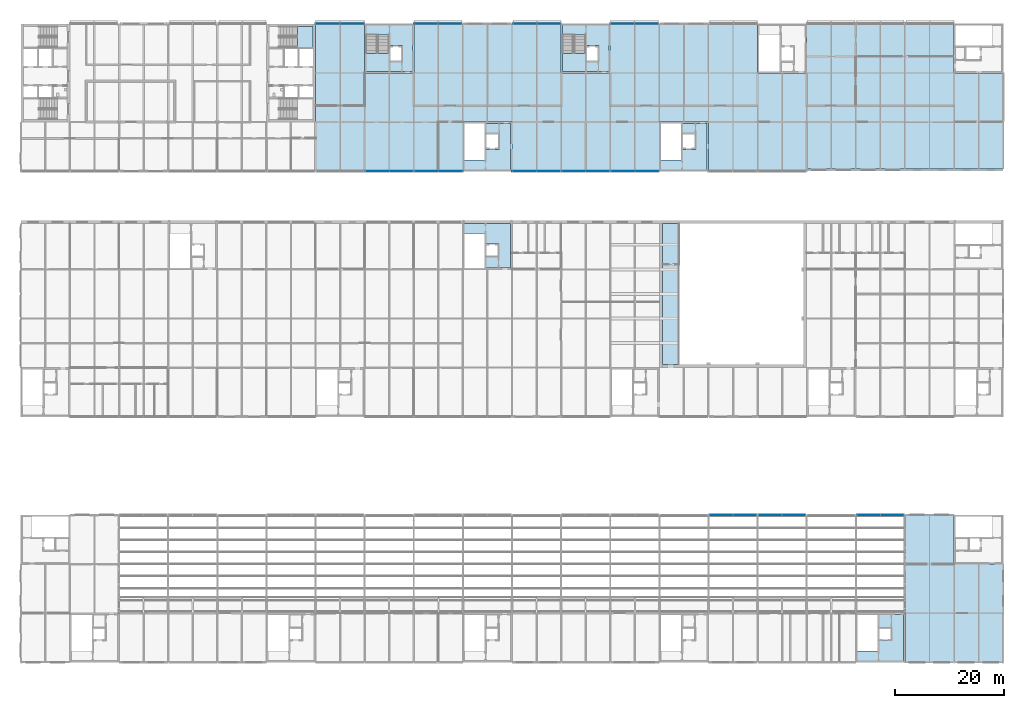
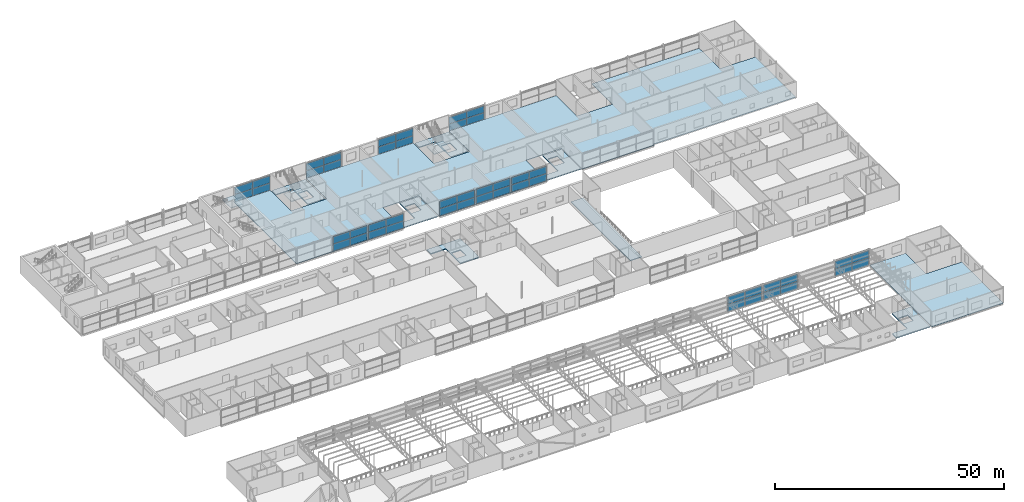
# One storey, part 101 of 138: 48 plates, 12 slabs, 15 elements without a shape of their own.
"""IFC4 building model written with IfcOpenShell, lengths in metres."""

from ifc_helpers import new_model, si_unit, direction, frame, origin, origin_2d, place, context, subcontext, project, spatial, polyline, rectangle, outline, extrude, material, layer, layer_set, type_object, element, aggregate, save


model = new_model("IFC4")

# Units and contexts
model_context = context("Model", 3, precision=1e-05, world=origin(), true_north=direction((0.0, 1.0)))
body_context = subcontext(model_context, "Body", "Model", "MODEL_VIEW")
ifc_project = project(units=[si_unit("LENGTHUNIT", "METRE"), si_unit("AREAUNIT", "SQUARE_METRE"), si_unit("VOLUMEUNIT", "CUBIC_METRE"), si_unit("PLANEANGLEUNIT", "RADIAN"), si_unit("MASSUNIT", "GRAM", prefix="KILO")], contexts=[model_context])

# Site, building, storey
site_placement = place(None, origin())
site = spatial("IfcSite", under=ifc_project, at=site_placement, CompositionType="ELEMENT")
building_placement = place(site_placement, origin())
building = spatial("IfcBuilding", under=site, at=building_placement, Name="Corbel Yard City Hall", CompositionType="ELEMENT")
storey_placement = place(building_placement, frame((0.0, 0.0, 10.5)))
storey = spatial("IfcBuildingStorey", under=building, at=storey_placement, Name="L02", CompositionType="ELEMENT", Elevation=10.5)

# Slabs
ifc_material_1 = material(Name="Concrete N40 (40 MPa)", Category="concrete")
ifc_layer_1 = layer(ifc_material_1, 0.25)
ifc_layer_set_1 = layer_set([ifc_layer_1], Name="Concrete N40 (40 MPa)")
slab_type_1 = type_object("IfcSlabType", Name="CF1", PredefinedType="FLOOR", material=ifc_layer_set_1)
slab_1_placement = place(storey_placement, frame((0.0, 0.0, -0.25)))
element("IfcSlab", 1, at=slab_1_placement, inside=storey, type_object=slab_type_1, Name="Core floor slab", PredefinedType="FLOOR", context=body_context, shape_type="SweptSolid", body=[
    extrude(outline(polyline([(161.75, 8.75), (157.050048828125, 8.75), (157.050048828125, 2.051025390625), (153.25, 2.051025390625), (153.25, 0.25), (161.75, 0.25), (161.75, 8.75)]), holes=[polyline([(159.64990234375, 4.0), (159.64990234375, 6.39990234375), (157.300048828125, 6.39990234375), (157.300048828125, 4.0), (159.64990234375, 4.0)])]), origin(), (0.0, 0.0, 1.0), 0.25),
])
slab_2_placement = place(storey_placement, frame((0.0, 0.0, -0.25)))
element("IfcSlab", 2, at=slab_2_placement, inside=storey, type_object=slab_type_1, Name="Core floor slab", PredefinedType="FLOOR", context=body_context, shape_type="SweptSolid", body=[
    extrude(outline(polyline([(81.25, 80.39990234375), (81.25, 78.59912109375), (85.050048828125, 78.59912109375), (85.050048828125, 72.25), (89.75, 72.25), (89.75, 80.39990234375), (81.25, 80.39990234375)]), holes=[polyline([(87.64990234375, 74.25), (87.64990234375, 76.64990234375), (85.300048828125, 76.64990234375), (85.300048828125, 74.25), (87.64990234375, 74.25)])]), origin(), (0.0, 0.0, 1.0), 0.25),
])
slab_3_placement = place(storey_placement, frame((0.0, 0.0, -0.25)))
element("IfcSlab", 3, at=slab_3_placement, inside=storey, type_object=slab_type_1, Name="Core floor slab", PredefinedType="FLOOR", context=body_context, shape_type="SweptSolid", body=[
    extrude(outline(polyline([(63.25, 116.75), (63.25, 114.948974609375), (67.449951171875, 114.948974609375), (67.449951171875, 108.25), (71.75, 108.25), (71.75, 116.75), (63.25, 116.75)]), holes=[polyline([(69.949951171875, 110.0), (69.949951171875, 113.0), (67.699951171875, 113.0), (67.699951171875, 110.0), (69.949951171875, 110.0)])]), origin(), (0.0, 0.0, 1.0), 0.25),
])
slab_4_placement = place(storey_placement, frame((0.0, 0.0, -0.25)))
element("IfcSlab", 4, at=slab_4_placement, inside=storey, type_object=slab_type_1, Name="Core floor slab", PredefinedType="FLOOR", context=body_context, shape_type="SweptSolid", body=[
    extrude(outline(polyline([(99.25, 116.75), (99.25, 114.948974609375), (103.449951171875, 114.948974609375), (103.449951171875, 108.25), (107.75, 108.25), (107.75, 116.75), (99.25, 116.75)]), holes=[polyline([(105.949951171875, 110.0), (105.949951171875, 113.0), (103.699951171875, 113.0), (103.699951171875, 110.0), (105.949951171875, 110.0)])]), origin(), (0.0, 0.0, 1.0), 0.25),
])
slab_5_placement = place(storey_placement, frame((0.0, 0.0, -0.25)))
element("IfcSlab", 5, at=slab_5_placement, inside=storey, type_object=slab_type_1, Name="Core floor slab", PredefinedType="FLOOR", context=body_context, shape_type="SweptSolid", body=[
    extrude(outline(polyline([(89.75, 98.75), (85.050048828125, 98.75), (85.050048828125, 92.051025390625), (81.25, 92.051025390625), (81.25, 90.25), (89.75, 90.25), (89.75, 98.75)]), holes=[polyline([(87.75, 94.0), (87.75, 97.0), (85.300048828125, 97.0), (85.300048828125, 94.0), (87.75, 94.0)])]), origin(), (0.0, 0.0, 1.0), 0.25),
])
slab_6_placement = place(storey_placement, frame((0.0, 0.0, -0.25)))
element("IfcSlab", 6, at=slab_6_placement, inside=storey, type_object=slab_type_1, Name="Core floor slab", PredefinedType="FLOOR", context=body_context, shape_type="SweptSolid", body=[
    extrude(outline(polyline([(125.75, 98.75), (121.050048828125, 98.75), (121.050048828125, 92.051025390625), (117.25, 92.051025390625), (117.25, 90.25), (125.75, 90.25), (125.75, 98.75)]), holes=[polyline([(123.75, 94.0), (123.75, 97.0), (121.300048828125, 97.0), (121.300048828125, 94.0), (123.75, 94.0)])]), origin(), (0.0, 0.0, 1.0), 0.25),
])
ifc_layer_2 = layer(ifc_material_1, 0.14990234375)
ifc_layer_set_2 = layer_set([ifc_layer_2], Name="Concrete N40 (40 MPa)")
slab_type_2 = type_object("IfcSlabType", Name="Floor slab 150", PredefinedType="FLOOR", material=ifc_layer_set_2)
slab_7_placement = place(storey_placement, frame((0.0, 0.0, -0.14990234375)))
element("IfcSlab", 7, at=slab_7_placement, inside=storey, type_object=slab_type_2, Name="Floor slab East Entrance and Service", PredefinedType="FLOOR", context=body_context, shape_type="SweptSolid", body=[
    extrude(outline(polyline([(171.0, 27.0), (162.0, 27.0), (162.0, 0.0), (180.0, 0.0), (180.0, 18.0), (171.0, 18.0), (171.0, 27.0)])), origin(), (0.0, 0.0, 1.0), 0.14990234375),
])
slab_8_placement = place(storey_placement, frame((0.0, 0.0, -0.14990234375)))
element("IfcSlab", 8, at=slab_8_placement, inside=storey, type_object=slab_type_2, Name="Floor slab Civic reception and councillors' wing", PredefinedType="FLOOR", context=body_context, shape_type="SweptSolid", body=[
    extrude(outline(polyline([(108.0, 117.0), (108.0, 108.0), (99.0, 108.0), (99.0, 117.0), (72.0, 117.0), (72.0, 108.0), (63.0, 108.0), (63.0, 117.0), (54.0, 117.0), (54.0, 90.0), (81.0, 90.0), (81.0, 99.0), (90.0, 99.0), (90.0, 90.0), (117.0, 90.0), (117.0, 99.0), (126.0, 99.0), (126.0, 90.0), (144.159912109375, 90.0), (144.159912109375, 90.39990234375), (180.0, 90.39990234375), (180.0, 108.0), (171.0, 108.0), (171.0, 117.0), (144.0, 117.0), (144.0, 108.0), (135.0, 108.0), (135.0, 117.0), (108.0, 117.0)])), origin(), (0.0, 0.0, 1.0), 0.14990234375),
])
slab_9_placement = place(storey_placement, frame((0.0, 0.0, -0.14990234375)))
element("IfcSlab", 9, at=slab_9_placement, inside=storey, type_object=slab_type_2, Name="Council Chamber press gallery deck", PredefinedType="FLOOR", context=body_context, shape_type="SweptSolid", body=[
    extrude(outline(polyline([(120.60009765625, 54.60009765625), (120.60009765625, 80.39990234375), (117.60009765625, 80.39990234375), (117.60009765625, 54.60009765625), (120.60009765625, 54.60009765625)])), origin(), (0.0, 0.0, 1.0), 0.14990234375),
])

# Stair, slab
stair_type_1 = type_object("IfcStairType", Name="ST31", PredefinedType="HALF_TURN_STAIR", material=ifc_material_1)
stair_1_placement = place(storey_placement, origin())
stair_1 = element("IfcStair", 10, at=stair_1_placement, inside=storey, type_object=stair_type_1, Name="Exit stair L02", PredefinedType="HALF_TURN_STAIR")
ifc_layer_3 = layer(ifc_material_1, 0.199951171875)
ifc_layer_set_3 = layer_set([ifc_layer_3], Name="Concrete N40 (40 MPa)")
slab_type_3 = type_object("IfcSlabType", Name="LN1", PredefinedType="LANDING", material=ifc_layer_set_3)
slab_10_placement = place(storey_placement, frame((0.0, 0.0, 2.050048828125)))
slab_10 = element("IfcSlab", 11, at=slab_10_placement, type_object=slab_type_3, Name="PS16 landing 1", PredefinedType="LANDING", context=body_context, shape_type="SweptSolid", body=[
    extrude(outline(polyline([(63.25, 108.25), (67.449951171875, 108.25), (67.449951171875, 111.590087890625), (63.25, 111.590087890625), (63.25, 108.25)])), origin(), (0.0, 0.0, 1.0), 0.199951171875),
])
aggregate(stair_1, [slab_10])

stair_2_placement = place(storey_placement, origin())
stair_2 = element("IfcStair", 12, at=stair_2_placement, inside=storey, type_object=stair_type_1, Name="Exit stair L02", PredefinedType="HALF_TURN_STAIR")
slab_11_placement = place(storey_placement, frame((0.0, 0.0, 2.050048828125)))
slab_11 = element("IfcSlab", 13, at=slab_11_placement, type_object=slab_type_3, Name="PS17 landing 1", PredefinedType="LANDING", context=body_context, shape_type="SweptSolid", body=[
    extrude(outline(polyline([(99.25, 108.25), (103.449951171875, 108.25), (103.449951171875, 111.590087890625), (99.25, 111.590087890625), (99.25, 108.25)])), origin(), (0.0, 0.0, 1.0), 0.199951171875),
])
aggregate(stair_2, [slab_11])

stair_type_2 = type_object("IfcStairType", Name="ST1", PredefinedType="HALF_TURN_STAIR", material=ifc_material_1)
stair_3_placement = place(storey_placement, origin())
stair_3 = element("IfcStair", 14, at=stair_3_placement, inside=storey, type_object=stair_type_2, Name="Exit stair ST-E2 L02", PredefinedType="HALF_TURN_STAIR")
slab_12_placement = place(storey_placement, frame((0.0, 0.0, 2.050048828125)))
slab_12 = element("IfcSlab", 15, at=slab_12_placement, type_object=slab_type_3, Name="ST-E2 landing 1", PredefinedType="LANDING", context=body_context, shape_type="SweptSolid", body=[
    extrude(outline(polyline([(50.659912109375, 112.699951171875), (53.5, 112.699951171875), (53.5, 116.5), (50.659912109375, 116.5), (50.659912109375, 112.699951171875)])), origin(), (0.0, 0.0, 1.0), 0.199951171875),
])
aggregate(stair_3, [slab_12])

# Curtain wall, plates
ifc_material_2 = material(Name="Aluminium extrusion", Category="aluminium")
ifc_layer_4 = layer(ifc_material_2, 0.199951171875)
ifc_layer_set_4 = layer_set([ifc_layer_4], Name="Aluminium extrusion")
curtain_wall_type_1 = type_object("IfcCurtainWallType", Name="CW1", PredefinedType="USERDEFINED", material=ifc_layer_set_4)
curtain_wall_1_placement = place(storey_placement, origin())
curtain_wall_1 = element("IfcCurtainWall", 16, at=curtain_wall_1_placement, inside=storey, type_object=curtain_wall_type_1, Name="Curtain wall CW1 L02", ObjectType="CURTAIN WALL", PredefinedType="USERDEFINED")
ifc_material_3 = material(Name="Laminated glass", Category="glass")
ifc_layer_5 = layer(ifc_material_3, 0.035888671875)
ifc_layer_set_5 = layer_set([ifc_layer_5], Name="Laminated glass")
plate_type_1 = type_object("IfcPlateType", Name="PN1", PredefinedType="CURTAIN_PANEL", material=ifc_layer_set_5)
plate_1_placement = place(storey_placement, frame((65.329833984375, 90.0, 0.06494140625), z_axis=(0.0, 0.0, 1.0), x_axis=(1.0, 0.0, 0.0)))
plate_1 = element("IfcPlate", 17, at=plate_1_placement, type_object=plate_type_1, Name="CW1 panel 1.1", PredefinedType="CURTAIN_PANEL", context=body_context, shape_type="SweptSolid", body=[
    extrude(rectangle(XDim=4.275390625, YDim=0.035888671875, at=origin_2d()), origin(), (0.0, 0.0, 1.0), 1.89794921875),
])
plate_2_placement = place(storey_placement, frame((65.329833984375, 90.0, 2.028076171875), z_axis=(0.0, 0.0, 1.0), x_axis=(1.0, 0.0, 0.0)))
plate_2 = element("IfcPlate", 18, at=plate_2_placement, type_object=plate_type_1, Name="CW1 panel 1.2", PredefinedType="CURTAIN_PANEL", context=body_context, shape_type="SweptSolid", body=[
    extrude(rectangle(XDim=4.275390625, YDim=0.035888671875, at=origin_2d()), origin(), (0.0, 0.0, 1.0), 1.89794921875),
])
plate_3_placement = place(storey_placement, frame((69.670166015625, 90.0, 0.06494140625), z_axis=(0.0, 0.0, 1.0), x_axis=(1.0, 0.0, 0.0)))
plate_3 = element("IfcPlate", 19, at=plate_3_placement, type_object=plate_type_1, Name="CW1 panel 2.1", PredefinedType="CURTAIN_PANEL", context=body_context, shape_type="SweptSolid", body=[
    extrude(rectangle(XDim=4.275390625, YDim=0.035888671875, at=origin_2d()), origin(), (0.0, 0.0, 1.0), 1.89794921875),
])
plate_4_placement = place(storey_placement, frame((69.670166015625, 90.0, 2.028076171875), z_axis=(0.0, 0.0, 1.0), x_axis=(1.0, 0.0, 0.0)))
plate_4 = element("IfcPlate", 20, at=plate_4_placement, type_object=plate_type_1, Name="CW1 panel 2.2", PredefinedType="CURTAIN_PANEL", context=body_context, shape_type="SweptSolid", body=[
    extrude(rectangle(XDim=4.275390625, YDim=0.035888671875, at=origin_2d()), origin(), (0.0, 0.0, 1.0), 1.89794921875),
])
aggregate(curtain_wall_1, [plate_1, plate_2, plate_3, plate_4])

curtain_wall_2_placement = place(storey_placement, origin())
curtain_wall_2 = element("IfcCurtainWall", 21, at=curtain_wall_2_placement, inside=storey, type_object=curtain_wall_type_1, Name="Curtain wall CW1 L02", ObjectType="CURTAIN WALL", PredefinedType="USERDEFINED")
plate_5_placement = place(storey_placement, frame((74.361572265625, 90.0, 0.06494140625), z_axis=(0.0, 0.0, 1.0), x_axis=(1.0, 0.0, 0.0)))
plate_5 = element("IfcPlate", 22, at=plate_5_placement, type_object=plate_type_1, Name="CW1 panel 1.1", PredefinedType="CURTAIN_PANEL", context=body_context, shape_type="SweptSolid", body=[
    extrude(rectangle(XDim=4.339111328125, YDim=0.035888671875, at=origin_2d()), origin(), (0.0, 0.0, 1.0), 1.89794921875),
])
plate_6_placement = place(storey_placement, frame((74.361572265625, 90.0, 2.028076171875), z_axis=(0.0, 0.0, 1.0), x_axis=(1.0, 0.0, 0.0)))
plate_6 = element("IfcPlate", 23, at=plate_6_placement, type_object=plate_type_1, Name="CW1 panel 1.2", PredefinedType="CURTAIN_PANEL", context=body_context, shape_type="SweptSolid", body=[
    extrude(rectangle(XDim=4.339111328125, YDim=0.035888671875, at=origin_2d()), origin(), (0.0, 0.0, 1.0), 1.89794921875),
])
plate_7_placement = place(storey_placement, frame((78.765380859375, 90.0, 0.06494140625), z_axis=(0.0, 0.0, 1.0), x_axis=(1.0, 0.0, 0.0)))
plate_7 = element("IfcPlate", 24, at=plate_7_placement, type_object=plate_type_1, Name="CW1 panel 2.1", PredefinedType="CURTAIN_PANEL", context=body_context, shape_type="SweptSolid", body=[
    extrude(rectangle(XDim=4.339111328125, YDim=0.035888671875, at=origin_2d()), origin(), (0.0, 0.0, 1.0), 1.89794921875),
])
plate_8_placement = place(storey_placement, frame((78.765380859375, 90.0, 2.028076171875), z_axis=(0.0, 0.0, 1.0), x_axis=(1.0, 0.0, 0.0)))
plate_8 = element("IfcPlate", 25, at=plate_8_placement, type_object=plate_type_1, Name="CW1 panel 2.2", PredefinedType="CURTAIN_PANEL", context=body_context, shape_type="SweptSolid", body=[
    extrude(rectangle(XDim=4.339111328125, YDim=0.035888671875, at=origin_2d()), origin(), (0.0, 0.0, 1.0), 1.89794921875),
])
aggregate(curtain_wall_2, [plate_5, plate_6, plate_7, plate_8])

curtain_wall_3_placement = place(storey_placement, origin())
curtain_wall_3 = element("IfcCurtainWall", 26, at=curtain_wall_3_placement, inside=storey, type_object=curtain_wall_type_1, Name="Curtain wall CW1 L02", ObjectType="CURTAIN WALL", PredefinedType="USERDEFINED")
plate_9_placement = place(storey_placement, frame((92.234619140625, 90.0, 0.06494140625), z_axis=(0.0, 0.0, 1.0), x_axis=(1.0, 0.0, 0.0)))
plate_9 = element("IfcPlate", 27, at=plate_9_placement, type_object=plate_type_1, Name="CW1 panel 1.1", PredefinedType="CURTAIN_PANEL", context=body_context, shape_type="SweptSolid", body=[
    extrude(rectangle(XDim=4.339111328125, YDim=0.035888671875, at=origin_2d()), origin(), (0.0, 0.0, 1.0), 1.89794921875),
])
plate_10_placement = place(storey_placement, frame((92.234619140625, 90.0, 2.028076171875), z_axis=(0.0, 0.0, 1.0), x_axis=(1.0, 0.0, 0.0)))
plate_10 = element("IfcPlate", 28, at=plate_10_placement, type_object=plate_type_1, Name="CW1 panel 1.2", PredefinedType="CURTAIN_PANEL", context=body_context, shape_type="SweptSolid", body=[
    extrude(rectangle(XDim=4.339111328125, YDim=0.035888671875, at=origin_2d()), origin(), (0.0, 0.0, 1.0), 1.89794921875),
])
plate_11_placement = place(storey_placement, frame((96.638427734375, 90.0, 0.06494140625), z_axis=(0.0, 0.0, 1.0), x_axis=(1.0, 0.0, 0.0)))
plate_11 = element("IfcPlate", 29, at=plate_11_placement, type_object=plate_type_1, Name="CW1 panel 2.1", PredefinedType="CURTAIN_PANEL", context=body_context, shape_type="SweptSolid", body=[
    extrude(rectangle(XDim=4.339111328125, YDim=0.035888671875, at=origin_2d()), origin(), (0.0, 0.0, 1.0), 1.89794921875),
])
plate_12_placement = place(storey_placement, frame((96.638427734375, 90.0, 2.028076171875), z_axis=(0.0, 0.0, 1.0), x_axis=(1.0, 0.0, 0.0)))
plate_12 = element("IfcPlate", 30, at=plate_12_placement, type_object=plate_type_1, Name="CW1 panel 2.2", PredefinedType="CURTAIN_PANEL", context=body_context, shape_type="SweptSolid", body=[
    extrude(rectangle(XDim=4.339111328125, YDim=0.035888671875, at=origin_2d()), origin(), (0.0, 0.0, 1.0), 1.89794921875),
])
aggregate(curtain_wall_3, [plate_9, plate_10, plate_11, plate_12])

curtain_wall_4_placement = place(storey_placement, origin())
curtain_wall_4 = element("IfcCurtainWall", 31, at=curtain_wall_4_placement, inside=storey, type_object=curtain_wall_type_1, Name="Curtain wall CW1 L02", ObjectType="CURTAIN WALL", PredefinedType="USERDEFINED")
plate_13_placement = place(storey_placement, frame((101.329833984375, 90.0, 0.06494140625), z_axis=(0.0, 0.0, 1.0), x_axis=(1.0, 0.0, 0.0)))
plate_13 = element("IfcPlate", 32, at=plate_13_placement, type_object=plate_type_1, Name="CW1 panel 1.1", PredefinedType="CURTAIN_PANEL", context=body_context, shape_type="SweptSolid", body=[
    extrude(rectangle(XDim=4.275390625, YDim=0.035888671875, at=origin_2d()), origin(), (0.0, 0.0, 1.0), 1.89794921875),
])
plate_14_placement = place(storey_placement, frame((101.329833984375, 90.0, 2.028076171875), z_axis=(0.0, 0.0, 1.0), x_axis=(1.0, 0.0, 0.0)))
plate_14 = element("IfcPlate", 33, at=plate_14_placement, type_object=plate_type_1, Name="CW1 panel 1.2", PredefinedType="CURTAIN_PANEL", context=body_context, shape_type="SweptSolid", body=[
    extrude(rectangle(XDim=4.275390625, YDim=0.035888671875, at=origin_2d()), origin(), (0.0, 0.0, 1.0), 1.89794921875),
])
plate_15_placement = place(storey_placement, frame((105.670166015625, 90.0, 0.06494140625), z_axis=(0.0, 0.0, 1.0), x_axis=(1.0, 0.0, 0.0)))
plate_15 = element("IfcPlate", 34, at=plate_15_placement, type_object=plate_type_1, Name="CW1 panel 2.1", PredefinedType="CURTAIN_PANEL", context=body_context, shape_type="SweptSolid", body=[
    extrude(rectangle(XDim=4.275390625, YDim=0.035888671875, at=origin_2d()), origin(), (0.0, 0.0, 1.0), 1.89794921875),
])
plate_16_placement = place(storey_placement, frame((105.670166015625, 90.0, 2.028076171875), z_axis=(0.0, 0.0, 1.0), x_axis=(1.0, 0.0, 0.0)))
plate_16 = element("IfcPlate", 35, at=plate_16_placement, type_object=plate_type_1, Name="CW1 panel 2.2", PredefinedType="CURTAIN_PANEL", context=body_context, shape_type="SweptSolid", body=[
    extrude(rectangle(XDim=4.275390625, YDim=0.035888671875, at=origin_2d()), origin(), (0.0, 0.0, 1.0), 1.89794921875),
])
aggregate(curtain_wall_4, [plate_13, plate_14, plate_15, plate_16])

curtain_wall_5_placement = place(storey_placement, origin())
curtain_wall_5 = element("IfcCurtainWall", 36, at=curtain_wall_5_placement, inside=storey, type_object=curtain_wall_type_1, Name="Curtain wall CW1 L02", ObjectType="CURTAIN WALL", PredefinedType="USERDEFINED")
plate_17_placement = place(storey_placement, frame((110.361572265625, 90.0, 0.06494140625), z_axis=(0.0, 0.0, 1.0), x_axis=(1.0, 0.0, 0.0)))
plate_17 = element("IfcPlate", 37, at=plate_17_placement, type_object=plate_type_1, Name="CW1 panel 1.1", PredefinedType="CURTAIN_PANEL", context=body_context, shape_type="SweptSolid", body=[
    extrude(rectangle(XDim=4.339111328125, YDim=0.035888671875, at=origin_2d()), origin(), (0.0, 0.0, 1.0), 1.89794921875),
])
plate_18_placement = place(storey_placement, frame((110.361572265625, 90.0, 2.028076171875), z_axis=(0.0, 0.0, 1.0), x_axis=(1.0, 0.0, 0.0)))
plate_18 = element("IfcPlate", 38, at=plate_18_placement, type_object=plate_type_1, Name="CW1 panel 1.2", PredefinedType="CURTAIN_PANEL", context=body_context, shape_type="SweptSolid", body=[
    extrude(rectangle(XDim=4.339111328125, YDim=0.035888671875, at=origin_2d()), origin(), (0.0, 0.0, 1.0), 1.89794921875),
])
plate_19_placement = place(storey_placement, frame((114.765380859375, 90.0, 0.06494140625), z_axis=(0.0, 0.0, 1.0), x_axis=(1.0, 0.0, 0.0)))
plate_19 = element("IfcPlate", 39, at=plate_19_placement, type_object=plate_type_1, Name="CW1 panel 2.1", PredefinedType="CURTAIN_PANEL", context=body_context, shape_type="SweptSolid", body=[
    extrude(rectangle(XDim=4.339111328125, YDim=0.035888671875, at=origin_2d()), origin(), (0.0, 0.0, 1.0), 1.89794921875),
])
plate_20_placement = place(storey_placement, frame((114.765380859375, 90.0, 2.028076171875), z_axis=(0.0, 0.0, 1.0), x_axis=(1.0, 0.0, 0.0)))
plate_20 = element("IfcPlate", 40, at=plate_20_placement, type_object=plate_type_1, Name="CW1 panel 2.2", PredefinedType="CURTAIN_PANEL", context=body_context, shape_type="SweptSolid", body=[
    extrude(rectangle(XDim=4.339111328125, YDim=0.035888671875, at=origin_2d()), origin(), (0.0, 0.0, 1.0), 1.89794921875),
])
aggregate(curtain_wall_5, [plate_17, plate_18, plate_19, plate_20])

curtain_wall_6_placement = place(storey_placement, origin())
curtain_wall_6 = element("IfcCurtainWall", 41, at=curtain_wall_6_placement, inside=storey, type_object=curtain_wall_type_1, Name="Curtain wall CW1 L02", ObjectType="CURTAIN WALL", PredefinedType="USERDEFINED")
plate_21_placement = place(storey_placement, frame((56.266357421875, 117.0, 0.06494140625), z_axis=(0.0, 0.0, 1.0), x_axis=(1.0, 0.0, 0.0)))
plate_21 = element("IfcPlate", 42, at=plate_21_placement, type_object=plate_type_1, Name="CW1 panel 1.1", PredefinedType="CURTAIN_PANEL", context=body_context, shape_type="SweptSolid", body=[
    extrude(rectangle(XDim=4.402587890625, YDim=0.035888671875, at=origin_2d()), origin(), (0.0, 0.0, 1.0), 1.89794921875),
])
plate_22_placement = place(storey_placement, frame((56.266357421875, 117.0, 2.028076171875), z_axis=(0.0, 0.0, 1.0), x_axis=(1.0, 0.0, 0.0)))
plate_22 = element("IfcPlate", 43, at=plate_22_placement, type_object=plate_type_1, Name="CW1 panel 1.2", PredefinedType="CURTAIN_PANEL", context=body_context, shape_type="SweptSolid", body=[
    extrude(rectangle(XDim=4.402587890625, YDim=0.035888671875, at=origin_2d()), origin(), (0.0, 0.0, 1.0), 1.89794921875),
])
plate_23_placement = place(storey_placement, frame((60.733642578125, 117.0, 0.06494140625), z_axis=(0.0, 0.0, 1.0), x_axis=(1.0, 0.0, 0.0)))
plate_23 = element("IfcPlate", 44, at=plate_23_placement, type_object=plate_type_1, Name="CW1 panel 2.1", PredefinedType="CURTAIN_PANEL", context=body_context, shape_type="SweptSolid", body=[
    extrude(rectangle(XDim=4.402587890625, YDim=0.035888671875, at=origin_2d()), origin(), (0.0, 0.0, 1.0), 1.89794921875),
])
plate_24_placement = place(storey_placement, frame((60.733642578125, 117.0, 2.028076171875), z_axis=(0.0, 0.0, 1.0), x_axis=(1.0, 0.0, 0.0)))
plate_24 = element("IfcPlate", 45, at=plate_24_placement, type_object=plate_type_1, Name="CW1 panel 2.2", PredefinedType="CURTAIN_PANEL", context=body_context, shape_type="SweptSolid", body=[
    extrude(rectangle(XDim=4.402587890625, YDim=0.035888671875, at=origin_2d()), origin(), (0.0, 0.0, 1.0), 1.89794921875),
])
aggregate(curtain_wall_6, [plate_21, plate_22, plate_23, plate_24])

curtain_wall_7_placement = place(storey_placement, origin())
curtain_wall_7 = element("IfcCurtainWall", 46, at=curtain_wall_7_placement, inside=storey, type_object=curtain_wall_type_1, Name="Curtain wall CW1 L02", ObjectType="CURTAIN WALL", PredefinedType="USERDEFINED")
plate_25_placement = place(storey_placement, frame((74.234619140625, 117.0, 0.06494140625), z_axis=(0.0, 0.0, 1.0), x_axis=(1.0, 0.0, 0.0)))
plate_25 = element("IfcPlate", 47, at=plate_25_placement, type_object=plate_type_1, Name="CW1 panel 1.1", PredefinedType="CURTAIN_PANEL", context=body_context, shape_type="SweptSolid", body=[
    extrude(rectangle(XDim=4.339111328125, YDim=0.035888671875, at=origin_2d()), origin(), (0.0, 0.0, 1.0), 1.89794921875),
])
plate_26_placement = place(storey_placement, frame((74.234619140625, 117.0, 2.028076171875), z_axis=(0.0, 0.0, 1.0), x_axis=(1.0, 0.0, 0.0)))
plate_26 = element("IfcPlate", 48, at=plate_26_placement, type_object=plate_type_1, Name="CW1 panel 1.2", PredefinedType="CURTAIN_PANEL", context=body_context, shape_type="SweptSolid", body=[
    extrude(rectangle(XDim=4.339111328125, YDim=0.035888671875, at=origin_2d()), origin(), (0.0, 0.0, 1.0), 1.89794921875),
])
plate_27_placement = place(storey_placement, frame((78.638427734375, 117.0, 0.06494140625), z_axis=(0.0, 0.0, 1.0), x_axis=(1.0, 0.0, 0.0)))
plate_27 = element("IfcPlate", 49, at=plate_27_placement, type_object=plate_type_1, Name="CW1 panel 2.1", PredefinedType="CURTAIN_PANEL", context=body_context, shape_type="SweptSolid", body=[
    extrude(rectangle(XDim=4.339111328125, YDim=0.035888671875, at=origin_2d()), origin(), (0.0, 0.0, 1.0), 1.89794921875),
])
plate_28_placement = place(storey_placement, frame((78.638427734375, 117.0, 2.028076171875), z_axis=(0.0, 0.0, 1.0), x_axis=(1.0, 0.0, 0.0)))
plate_28 = element("IfcPlate", 50, at=plate_28_placement, type_object=plate_type_1, Name="CW1 panel 2.2", PredefinedType="CURTAIN_PANEL", context=body_context, shape_type="SweptSolid", body=[
    extrude(rectangle(XDim=4.339111328125, YDim=0.035888671875, at=origin_2d()), origin(), (0.0, 0.0, 1.0), 1.89794921875),
])
aggregate(curtain_wall_7, [plate_25, plate_26, plate_27, plate_28])

curtain_wall_8_placement = place(storey_placement, origin())
curtain_wall_8 = element("IfcCurtainWall", 51, at=curtain_wall_8_placement, inside=storey, type_object=curtain_wall_type_1, Name="Curtain wall CW1 L02", ObjectType="CURTAIN WALL", PredefinedType="USERDEFINED")
plate_29_placement = place(storey_placement, frame((92.361572265625, 117.0, 0.06494140625), z_axis=(0.0, 0.0, 1.0), x_axis=(1.0, 0.0, 0.0)))
plate_29 = element("IfcPlate", 52, at=plate_29_placement, type_object=plate_type_1, Name="CW1 panel 1.1", PredefinedType="CURTAIN_PANEL", context=body_context, shape_type="SweptSolid", body=[
    extrude(rectangle(XDim=4.339111328125, YDim=0.035888671875, at=origin_2d()), origin(), (0.0, 0.0, 1.0), 1.89794921875),
])
plate_30_placement = place(storey_placement, frame((92.361572265625, 117.0, 2.028076171875), z_axis=(0.0, 0.0, 1.0), x_axis=(1.0, 0.0, 0.0)))
plate_30 = element("IfcPlate", 53, at=plate_30_placement, type_object=plate_type_1, Name="CW1 panel 1.2", PredefinedType="CURTAIN_PANEL", context=body_context, shape_type="SweptSolid", body=[
    extrude(rectangle(XDim=4.339111328125, YDim=0.035888671875, at=origin_2d()), origin(), (0.0, 0.0, 1.0), 1.89794921875),
])
plate_31_placement = place(storey_placement, frame((96.765380859375, 117.0, 0.06494140625), z_axis=(0.0, 0.0, 1.0), x_axis=(1.0, 0.0, 0.0)))
plate_31 = element("IfcPlate", 54, at=plate_31_placement, type_object=plate_type_1, Name="CW1 panel 2.1", PredefinedType="CURTAIN_PANEL", context=body_context, shape_type="SweptSolid", body=[
    extrude(rectangle(XDim=4.339111328125, YDim=0.035888671875, at=origin_2d()), origin(), (0.0, 0.0, 1.0), 1.89794921875),
])
plate_32_placement = place(storey_placement, frame((96.765380859375, 117.0, 2.028076171875), z_axis=(0.0, 0.0, 1.0), x_axis=(1.0, 0.0, 0.0)))
plate_32 = element("IfcPlate", 55, at=plate_32_placement, type_object=plate_type_1, Name="CW1 panel 2.2", PredefinedType="CURTAIN_PANEL", context=body_context, shape_type="SweptSolid", body=[
    extrude(rectangle(XDim=4.339111328125, YDim=0.035888671875, at=origin_2d()), origin(), (0.0, 0.0, 1.0), 1.89794921875),
])
aggregate(curtain_wall_8, [plate_29, plate_30, plate_31, plate_32])

curtain_wall_9_placement = place(storey_placement, origin())
curtain_wall_9 = element("IfcCurtainWall", 56, at=curtain_wall_9_placement, inside=storey, type_object=curtain_wall_type_1, Name="Curtain wall CW1 L02", ObjectType="CURTAIN WALL", PredefinedType="USERDEFINED")
plate_33_placement = place(storey_placement, frame((110.234619140625, 117.0, 0.06494140625), z_axis=(0.0, 0.0, 1.0), x_axis=(1.0, 0.0, 0.0)))
plate_33 = element("IfcPlate", 57, at=plate_33_placement, type_object=plate_type_1, Name="CW1 panel 1.1", PredefinedType="CURTAIN_PANEL", context=body_context, shape_type="SweptSolid", body=[
    extrude(rectangle(XDim=4.339111328125, YDim=0.035888671875, at=origin_2d()), origin(), (0.0, 0.0, 1.0), 1.771484375),
])
plate_34_placement = place(storey_placement, frame((110.234619140625, 117.0, 1.901611328125), z_axis=(0.0, 0.0, 1.0), x_axis=(1.0, 0.0, 0.0)))
plate_34 = element("IfcPlate", 58, at=plate_34_placement, type_object=plate_type_1, Name="CW1 panel 1.2", PredefinedType="CURTAIN_PANEL", context=body_context, shape_type="SweptSolid", body=[
    extrude(rectangle(XDim=4.339111328125, YDim=0.035888671875, at=origin_2d()), origin(), (0.0, 0.0, 1.0), 1.771484375),
])
plate_35_placement = place(storey_placement, frame((114.638427734375, 117.0, 0.06494140625), z_axis=(0.0, 0.0, 1.0), x_axis=(1.0, 0.0, 0.0)))
plate_35 = element("IfcPlate", 59, at=plate_35_placement, type_object=plate_type_1, Name="CW1 panel 2.1", PredefinedType="CURTAIN_PANEL", context=body_context, shape_type="SweptSolid", body=[
    extrude(rectangle(XDim=4.339111328125, YDim=0.035888671875, at=origin_2d()), origin(), (0.0, 0.0, 1.0), 1.771484375),
])
plate_36_placement = place(storey_placement, frame((114.638427734375, 117.0, 1.901611328125), z_axis=(0.0, 0.0, 1.0), x_axis=(1.0, 0.0, 0.0)))
plate_36 = element("IfcPlate", 60, at=plate_36_placement, type_object=plate_type_1, Name="CW1 panel 2.2", PredefinedType="CURTAIN_PANEL", context=body_context, shape_type="SweptSolid", body=[
    extrude(rectangle(XDim=4.339111328125, YDim=0.035888671875, at=origin_2d()), origin(), (0.0, 0.0, 1.0), 1.771484375),
])
aggregate(curtain_wall_9, [plate_33, plate_34, plate_35, plate_36])

ifc_layer_6 = layer(ifc_material_2, 0.300048828125)
ifc_layer_set_6 = layer_set([ifc_layer_6], Name="Aluminium extrusion")
curtain_wall_type_2 = type_object("IfcCurtainWallType", Name="CW7", PredefinedType="USERDEFINED", material=ifc_layer_set_6)
curtain_wall_10_placement = place(storey_placement, origin())
curtain_wall_10 = element("IfcCurtainWall", 61, at=curtain_wall_10_placement, inside=storey, type_object=curtain_wall_type_2, Name="Curtain wall CW7 L02", ObjectType="CURTAIN WALL", PredefinedType="USERDEFINED")
ifc_material_4 = material(Name="Laminated toughened glass, large format", Category="glass")
ifc_layer_7 = layer(ifc_material_4, 0.048095703125)
ifc_layer_set_7 = layer_set([ifc_layer_7], Name="Laminated toughened glass, large format")
plate_type_2 = type_object("IfcPlateType", Name="PN8", PredefinedType="CURTAIN_PANEL", material=ifc_layer_set_7)
plate_37_placement = place(storey_placement, frame((128.346923828125, 27.0, 0.080078125), z_axis=(0.0, 0.0, 1.0), x_axis=(1.0, 0.0, 0.0)))
plate_37 = element("IfcPlate", 62, at=plate_37_placement, type_object=plate_type_2, Name="CW7 panel 1.1", PredefinedType="CURTAIN_PANEL", context=body_context, shape_type="SweptSolid", body=[
    extrude(rectangle(XDim=4.22607421875, YDim=0.048095703125, at=origin_2d()), origin(), (0.0, 0.0, 1.0), 1.940673828125),
])
plate_38_placement = place(storey_placement, frame((128.346923828125, 27.0, 2.1005859375), z_axis=(0.0, 0.0, 1.0), x_axis=(1.0, 0.0, 0.0)))
plate_38 = element("IfcPlate", 63, at=plate_38_placement, type_object=plate_type_2, Name="CW7 panel 1.2", PredefinedType="CURTAIN_PANEL", context=body_context, shape_type="SweptSolid", body=[
    extrude(rectangle(XDim=4.22607421875, YDim=0.048095703125, at=origin_2d()), origin(), (0.0, 0.0, 1.0), 1.940673828125),
])
plate_39_placement = place(storey_placement, frame((132.653076171875, 27.0, 0.080078125), z_axis=(0.0, 0.0, 1.0), x_axis=(1.0, 0.0, 0.0)))
plate_39 = element("IfcPlate", 64, at=plate_39_placement, type_object=plate_type_2, Name="CW7 panel 2.1", PredefinedType="CURTAIN_PANEL", context=body_context, shape_type="SweptSolid", body=[
    extrude(rectangle(XDim=4.22607421875, YDim=0.048095703125, at=origin_2d()), origin(), (0.0, 0.0, 1.0), 1.940673828125),
])
plate_40_placement = place(storey_placement, frame((132.653076171875, 27.0, 2.1005859375), z_axis=(0.0, 0.0, 1.0), x_axis=(1.0, 0.0, 0.0)))
plate_40 = element("IfcPlate", 65, at=plate_40_placement, type_object=plate_type_2, Name="CW7 panel 2.2", PredefinedType="CURTAIN_PANEL", context=body_context, shape_type="SweptSolid", body=[
    extrude(rectangle(XDim=4.22607421875, YDim=0.048095703125, at=origin_2d()), origin(), (0.0, 0.0, 1.0), 1.940673828125),
])
aggregate(curtain_wall_10, [plate_37, plate_38, plate_39, plate_40])

curtain_wall_11_placement = place(storey_placement, origin())
curtain_wall_11 = element("IfcCurtainWall", 66, at=curtain_wall_11_placement, inside=storey, type_object=curtain_wall_type_2, Name="Curtain wall CW7 L02", ObjectType="CURTAIN WALL", PredefinedType="USERDEFINED")
plate_41_placement = place(storey_placement, frame((137.346923828125, 27.0, 0.080078125), z_axis=(0.0, 0.0, 1.0), x_axis=(1.0, 0.0, 0.0)))
plate_41 = element("IfcPlate", 67, at=plate_41_placement, type_object=plate_type_2, Name="CW7 panel 1.1", PredefinedType="CURTAIN_PANEL", context=body_context, shape_type="SweptSolid", body=[
    extrude(rectangle(XDim=4.22607421875, YDim=0.048095703125, at=origin_2d()), origin(), (0.0, 0.0, 1.0), 1.940673828125),
])
plate_42_placement = place(storey_placement, frame((137.346923828125, 27.0, 2.1005859375), z_axis=(0.0, 0.0, 1.0), x_axis=(1.0, 0.0, 0.0)))
plate_42 = element("IfcPlate", 68, at=plate_42_placement, type_object=plate_type_2, Name="CW7 panel 1.2", PredefinedType="CURTAIN_PANEL", context=body_context, shape_type="SweptSolid", body=[
    extrude(rectangle(XDim=4.22607421875, YDim=0.048095703125, at=origin_2d()), origin(), (0.0, 0.0, 1.0), 1.940673828125),
])
plate_43_placement = place(storey_placement, frame((141.653076171875, 27.0, 0.080078125), z_axis=(0.0, 0.0, 1.0), x_axis=(1.0, 0.0, 0.0)))
plate_43 = element("IfcPlate", 69, at=plate_43_placement, type_object=plate_type_2, Name="CW7 panel 2.1", PredefinedType="CURTAIN_PANEL", context=body_context, shape_type="SweptSolid", body=[
    extrude(rectangle(XDim=4.22607421875, YDim=0.048095703125, at=origin_2d()), origin(), (0.0, 0.0, 1.0), 1.940673828125),
])
plate_44_placement = place(storey_placement, frame((141.653076171875, 27.0, 2.1005859375), z_axis=(0.0, 0.0, 1.0), x_axis=(1.0, 0.0, 0.0)))
plate_44 = element("IfcPlate", 70, at=plate_44_placement, type_object=plate_type_2, Name="CW7 panel 2.2", PredefinedType="CURTAIN_PANEL", context=body_context, shape_type="SweptSolid", body=[
    extrude(rectangle(XDim=4.22607421875, YDim=0.048095703125, at=origin_2d()), origin(), (0.0, 0.0, 1.0), 1.940673828125),
])
aggregate(curtain_wall_11, [plate_41, plate_42, plate_43, plate_44])

curtain_wall_12_placement = place(storey_placement, origin())
curtain_wall_12 = element("IfcCurtainWall", 71, at=curtain_wall_12_placement, inside=storey, type_object=curtain_wall_type_2, Name="Curtain wall CW7 L02", ObjectType="CURTAIN WALL", PredefinedType="USERDEFINED")
plate_45_placement = place(storey_placement, frame((155.346923828125, 27.0, 0.080078125), z_axis=(0.0, 0.0, 1.0), x_axis=(1.0, 0.0, 0.0)))
plate_45 = element("IfcPlate", 72, at=plate_45_placement, type_object=plate_type_2, Name="CW7 panel 1.1", PredefinedType="CURTAIN_PANEL", context=body_context, shape_type="SweptSolid", body=[
    extrude(rectangle(XDim=4.22607421875, YDim=0.048095703125, at=origin_2d()), origin(), (0.0, 0.0, 1.0), 1.940673828125),
])
plate_46_placement = place(storey_placement, frame((155.346923828125, 27.0, 2.1005859375), z_axis=(0.0, 0.0, 1.0), x_axis=(1.0, 0.0, 0.0)))
plate_46 = element("IfcPlate", 73, at=plate_46_placement, type_object=plate_type_2, Name="CW7 panel 1.2", PredefinedType="CURTAIN_PANEL", context=body_context, shape_type="SweptSolid", body=[
    extrude(rectangle(XDim=4.22607421875, YDim=0.048095703125, at=origin_2d()), origin(), (0.0, 0.0, 1.0), 1.940673828125),
])
plate_47_placement = place(storey_placement, frame((159.653076171875, 27.0, 0.080078125), z_axis=(0.0, 0.0, 1.0), x_axis=(1.0, 0.0, 0.0)))
plate_47 = element("IfcPlate", 74, at=plate_47_placement, type_object=plate_type_2, Name="CW7 panel 2.1", PredefinedType="CURTAIN_PANEL", context=body_context, shape_type="SweptSolid", body=[
    extrude(rectangle(XDim=4.22607421875, YDim=0.048095703125, at=origin_2d()), origin(), (0.0, 0.0, 1.0), 1.940673828125),
])
plate_48_placement = place(storey_placement, frame((159.653076171875, 27.0, 2.1005859375), z_axis=(0.0, 0.0, 1.0), x_axis=(1.0, 0.0, 0.0)))
plate_48 = element("IfcPlate", 75, at=plate_48_placement, type_object=plate_type_2, Name="CW7 panel 2.2", PredefinedType="CURTAIN_PANEL", context=body_context, shape_type="SweptSolid", body=[
    extrude(rectangle(XDim=4.22607421875, YDim=0.048095703125, at=origin_2d()), origin(), (0.0, 0.0, 1.0), 1.940673828125),
])
aggregate(curtain_wall_12, [plate_45, plate_46, plate_47, plate_48])

save(model, "model.ifc")
